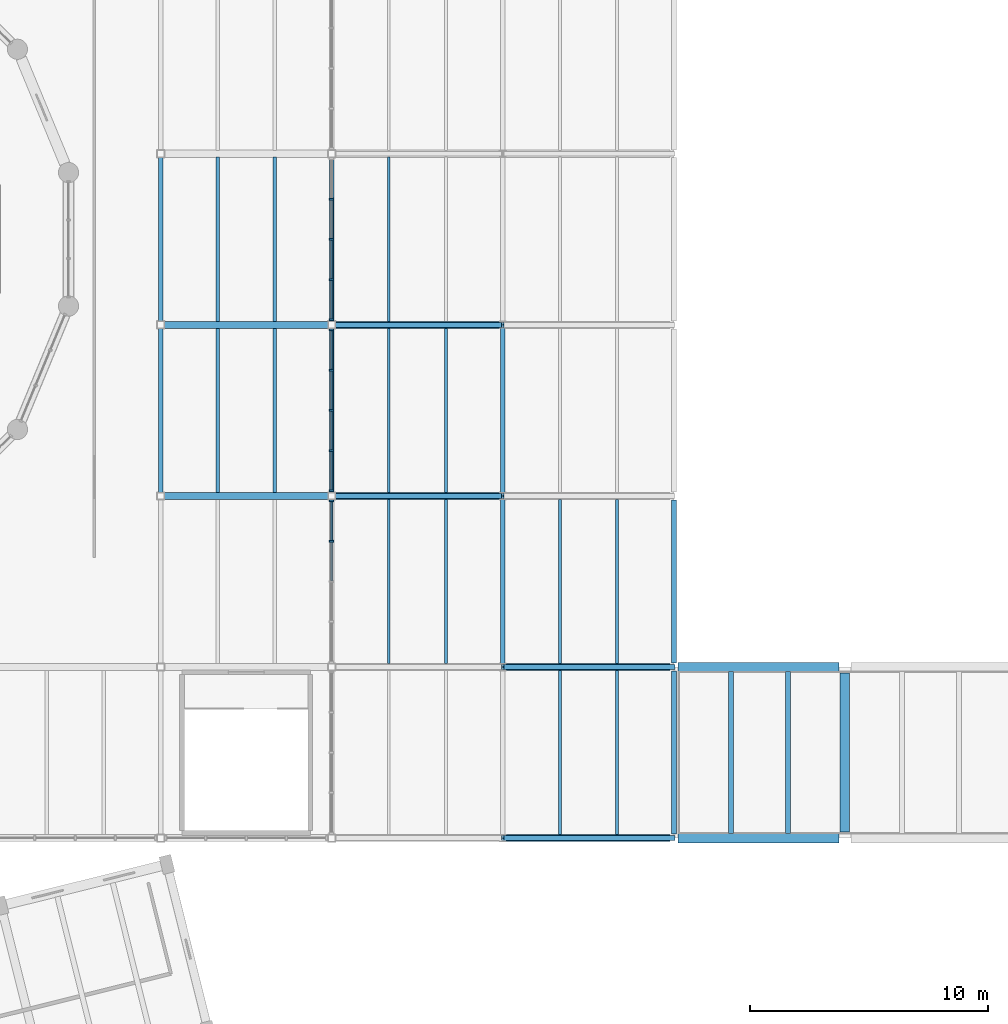
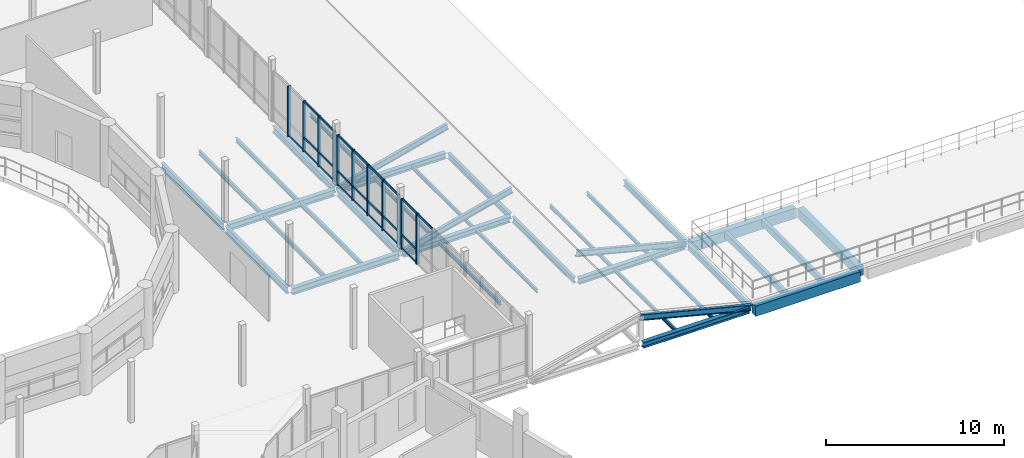
# One storey, part 26 of 63: 38 members, 32 beams, 3 elements without a shape of their own.
"""IFC4 building model written with IfcOpenShell, lengths in metres."""

import ifcopenshell
import ifcopenshell.guid

model = None  # the IFC model being written
_history = None  # IfcOwnerHistory: only IFC2X3 demands one
_inside = {}  # id of a spatial element -> (the spatial element, [elements in it])
_under = {}  # id of a project, library or spatial element -> (it, [spatial elements below it])
_declared = {}  # id of a project -> (the project, [libraries it declares])
_typed = {}  # id of a type object -> (the type object, [elements of that type])
_made_of = {}  # id of a material, layer set ... -> (it, [elements and type objects made of it])


def new_model(schema):
    """Start an empty IFC model of exactly this schema.

    Asked for "IFC4X3", IfcOpenShell would pick the latest addendum, in which some entities
    have other attributes; the version numbers below select the first issue.
    IFC2X3 requires an IfcOwnerHistory on every rooted entity: one is made here for all.
    """
    global model, _history
    if schema == "IFC4X3":
        model = ifcopenshell.file(schema_version=(4, 3, 0, 0))
    else:
        model = ifcopenshell.file(schema=schema)
    _inside.clear()
    _under.clear()
    _declared.clear()
    _typed.clear()
    _made_of.clear()
    _history = None
    if model.schema == "IFC2X3":
        org = make("IfcOrganization", Name="unknown")
        user = make(
            "IfcPersonAndOrganization",
            ThePerson=make("IfcPerson", FamilyName="unknown"),
            TheOrganization=org,
        )
        app = make(
            "IfcApplication",
            ApplicationDeveloper=org,
            Version="unknown",
            ApplicationFullName="unknown",
            ApplicationIdentifier="unknown",
        )
        _history = make(
            "IfcOwnerHistory",
            OwningUser=user,
            OwningApplication=app,
            ChangeAction="ADDED",
            CreationDate=0,
        )
    return model


def make(cls, **values):
    """One entity of the class cls with the attributes given. An attribute that is None is left unset."""
    return model.create_entity(
        cls, **{name: value for name, value in values.items() if value is not None}
    )


def rooted(cls, **values):
    """An entity with a GlobalId (a new one), such as an element, a storey or a relation."""
    return make(cls, GlobalId=ifcopenshell.guid.new(), OwnerHistory=_history, **values)


def si_unit(unit_type, name, prefix=None):
    """IfcSIUnit, for example si_unit("LENGTHUNIT", "METRE", prefix="MILLI")."""
    return make("IfcSIUnit", UnitType=unit_type, Prefix=prefix, Name=name)


def assignment(units):
    """IfcUnitAssignment: the units of a project."""
    return None if units is None else make("IfcUnitAssignment", Units=units)


def point(xyz):
    """IfcCartesianPoint."""
    return None if xyz is None else make("IfcCartesianPoint", Coordinates=xyz)


def direction(xyz):
    """IfcDirection."""
    return None if xyz is None else make("IfcDirection", DirectionRatios=xyz)


def frame(location, z_axis=None, x_axis=None):
    """IfcAxis2Placement3D, a coordinate frame: its origin and axes. An axis left out is left unset."""
    return make(
        "IfcAxis2Placement3D",
        Location=point(location),
        Axis=direction(z_axis),
        RefDirection=direction(x_axis),
    )


def frame_2d(location, x_axis=None):
    """IfcAxis2Placement2D, a coordinate frame in the plane: its origin and x axis."""
    return make(
        "IfcAxis2Placement2D", Location=point(location), RefDirection=direction(x_axis)
    )


def origin():
    """The frame at (0, 0, 0) with its axes left unset."""
    return frame((0.0, 0.0, 0.0))


def origin_2d():
    """The frame at (0, 0) in the plane with its x axis left unset."""
    return frame_2d((0.0, 0.0))


def place(relative_to, where):
    """IfcLocalPlacement: puts the frame where relative to a parent placement (None: the world)."""
    return make(
        "IfcLocalPlacement", PlacementRelTo=relative_to, RelativePlacement=where
    )


def context(
    kind, dimensions, precision=None, world=None, true_north=None, identifier=None
):
    """IfcGeometricRepresentationContext, for example the 3D "Model" context."""
    return make(
        "IfcGeometricRepresentationContext",
        ContextIdentifier=identifier,
        ContextType=kind,
        CoordinateSpaceDimension=dimensions,
        Precision=precision,
        WorldCoordinateSystem=world,
        TrueNorth=true_north,
    )


def subcontext(parent, identifier, kind, view, scale=None):
    """IfcGeometricRepresentationSubContext, for example "Body" below "Model"."""
    return make(
        "IfcGeometricRepresentationSubContext",
        ContextIdentifier=identifier,
        ContextType=kind,
        ParentContext=parent,
        TargetScale=scale,
        TargetView=view,
    )


def project(units=None, contexts=None):
    """IfcProject with its units and contexts."""
    return rooted(
        "IfcProject",
        Name="project",
        RepresentationContexts=contexts,
        UnitsInContext=assignment(units),
    )


def spatial(cls, under=None, at=None, **own):
    """A site, building, storey or space (cls), placed at a placement, below another one or the project."""
    s = rooted(cls, ObjectPlacement=at, **own)
    if under is not None:
        _under.setdefault(under.id(), (under, []))[1].append(s)
    return s


def profile(cls, at=None, kind="AREA", **sizes):
    """A parametric profile (cls). Its sizes go by their IFC names, for example OverallWidth=200.0."""
    return make(cls, ProfileType=kind, Position=at, **sizes)


def rectangle(**sizes):
    """IfcRectangleProfileDef."""
    return profile("IfcRectangleProfileDef", **sizes)


def i_section(**sizes):
    """IfcIShapeProfileDef."""
    return profile("IfcIShapeProfileDef", **sizes)


def extrude(swept, where, along, depth):
    """IfcExtrudedAreaSolid: the profile swept, set in the frame where, extruded along a direction by depth."""
    return make(
        "IfcExtrudedAreaSolid",
        SweptArea=swept,
        Position=where,
        ExtrudedDirection=direction(along),
        Depth=depth,
    )


def shape(context_of_items, identifier, shape_type, items):
    """IfcShapeRepresentation: the items that make up one representation, for example the "Body"."""
    return make(
        "IfcShapeRepresentation",
        ContextOfItems=context_of_items,
        RepresentationIdentifier=identifier,
        RepresentationType=shape_type,
        Items=items,
    )


def material(Name=None, Category=None):
    """IfcMaterial."""
    return make("IfcMaterial", Name=Name, Category=Category)


def material_profile(
    of_material, cross_section, Name=None, Category=None, Priority=None
):
    """IfcMaterialProfile: a cross section and its material."""
    return make(
        "IfcMaterialProfile",
        Name=Name,
        Material=of_material,
        Profile=cross_section,
        Priority=Priority,
        Category=Category,
    )


def profile_set(profiles, Name=None, composite=None):
    """IfcMaterialProfileSet."""
    return make(
        "IfcMaterialProfileSet",
        Name=Name,
        MaterialProfiles=profiles,
        CompositeProfile=composite,
    )


def made_of(thing, what):
    """Note that an element or type object is made of a material, layer set ...; save() writes the relation."""
    if what is not None:
        _made_of.setdefault(what.id(), (what, []))[1].append(thing)
    return thing


def type_object(cls, material=None, **own):
    """A type object (cls), such as IfcWallType, which elements share."""
    return made_of(rooted(cls, **own), material)


def element(
    cls,
    number,
    at=None,
    inside=None,
    cuts=None,
    type_object=None,
    material=None,
    context=None,
    identifier="Body",
    shape_type=None,
    held_by="IfcProductDefinitionShape",
    body=None,
    shapes=None,
    **own,
):
    """One element of the class cls, such as IfcWall. Its Tag is "e" and its number.

    at: its placement. inside: the storey or other place that contains it. cuts: it is an
    opening in that element (IfcRelVoidsElement). A single representation is given by context,
    identifier, shape_type and body (its items); several are given by shapes. held_by: the class
    of the entity that holds the representations. save() writes the other relations.
    """
    e = rooted(cls, Tag="e%d" % number, ObjectPlacement=at, **own)
    if body is not None:
        shapes = [shape(context, identifier, shape_type, body)]
    if shapes is not None:
        e.Representation = make(held_by, Representations=shapes)
    if inside is not None:
        _inside.setdefault(inside.id(), (inside, []))[1].append(e)
    if cuts is not None:
        rooted(
            "IfcRelVoidsElement", RelatingBuildingElement=cuts, RelatedOpeningElement=e
        )
    if type_object is not None:
        _typed.setdefault(type_object.id(), (type_object, []))[1].append(e)
    return made_of(e, material)


def aggregate(whole, parts):
    """IfcRelAggregates: a whole, such as a stair, and the parts it consists of."""
    return rooted("IfcRelAggregates", RelatingObject=whole, RelatedObjects=parts)


def save(model, path):
    """Write the relations noted so far, then the file.

    IfcRelAggregates (storeys below a building ...), IfcRelContainedInSpatialStructure (elements
    in a storey), IfcRelDefinesByType, IfcRelAssociatesMaterial and IfcRelDeclares: one each for
    every whole, place, type object, material and project.
    """
    for whole, parts in _under.values():
        aggregate(whole, parts)
    for where, things in _inside.values():
        rooted(
            "IfcRelContainedInSpatialStructure",
            RelatedElements=things,
            RelatingStructure=where,
        )
    for kind, things in _typed.values():
        rooted("IfcRelDefinesByType", RelatedObjects=things, RelatingType=kind)
    for what, things in _made_of.values():
        rooted("IfcRelAssociatesMaterial", RelatedObjects=things, RelatingMaterial=what)
    for by, libraries in _declared.values():
        rooted("IfcRelDeclares", RelatingContext=by, RelatedDefinitions=libraries)
    model.write(path)


model = new_model("IFC4")

# Units and contexts
model_context = context("Model", 3, precision=1e-05, world=origin(), true_north=direction((0.0, 1.0)))
body_context = subcontext(model_context, "Body", "Model", "MODEL_VIEW")
ifc_project = project(units=[si_unit("LENGTHUNIT", "METRE"), si_unit("AREAUNIT", "SQUARE_METRE"), si_unit("VOLUMEUNIT", "CUBIC_METRE"), si_unit("PLANEANGLEUNIT", "RADIAN"), si_unit("MASSUNIT", "GRAM", prefix="KILO")], contexts=[model_context])

# Site, building, storey
site_placement = place(None, origin())
site = spatial("IfcSite", under=ifc_project, at=site_placement, CompositionType="ELEMENT")
building_placement = place(site_placement, origin())
building = spatial("IfcBuilding", under=site, at=building_placement, Name="Qiaolan Assembly House", CompositionType="ELEMENT")
storey_placement = place(building_placement, frame((0.0, 0.0, 14.39990234375)))
storey = spatial("IfcBuildingStorey", under=building, at=storey_placement, Name="L03", CompositionType="ELEMENT", Elevation=14.39990234375)

# Beams
ifc_material_1 = material(Name="Concrete C40/50", Category="concrete")
ifc_material_profile_1 = material_profile(ifc_material_1, rectangle(XDim=0.39990234375, YDim=0.64990234375, at=origin_2d()), Name="RCB 400x650")
ifc_profile_set_1 = profile_set([ifc_material_profile_1], Name="Concrete C40/50")
beam_type_1 = type_object("IfcBeamType", Name="BM-RC-400x650", PredefinedType="BEAM", material=ifc_profile_set_1)
beam_1_placement = place(storey_placement, frame((115.199951171875, 36.25, -0.635009765625), z_axis=(0.0, 1.0, 0.0), x_axis=(-1.0, 0.0, 0.0)))
element("IfcBeam", 1, at=beam_1_placement, inside=storey, type_object=beam_type_1, Name="GB-06 beam BMY-CLSR-L03-01-00", PredefinedType="BEAM", context=body_context, shape_type="SweptSolid", body=[
    extrude(rectangle(XDim=0.39990234375, YDim=0.64990234375, at=origin_2d()), origin(), (0.0, 0.0, 1.0), 6.699951171875),
])
ifc_material_profile_2 = material_profile(ifc_material_1, rectangle(XDim=0.39990234375, YDim=0.699951171875, at=origin_2d()), Name="RCB 400x700")
ifc_profile_set_2 = profile_set([ifc_material_profile_2], Name="Concrete C40/50")
beam_type_2 = type_object("IfcBeamType", Name="BM-RC-400x700", PredefinedType="BEAM", material=ifc_profile_set_2)
for number, where, z_axis, x_axis, name in (
    (2, (108.1650390625, 36.0, -0.659912109375), (1.0, 0.0, 0.0), (0.0, 1.0, 0.0), "GB-05 beam BMX-CLSR-L03-00-00"),
    (3, (108.1650390625, 43.199951171875, -0.659912109375), (1.0, 0.0, 0.0), (0.0, 1.0, 0.0), "GB-05 beam BMX-CLSR-L03-00-01"),
):
    element("IfcBeam", number, at=place(storey_placement, frame(where, z_axis=z_axis, x_axis=x_axis)), inside=storey, type_object=beam_type_2, Name=name, PredefinedType="BEAM", context=body_context, shape_type="SweptSolid", body=[
        extrude(rectangle(XDim=0.39990234375, YDim=0.699951171875, at=origin_2d()), origin(), (0.0, 0.0, 1.0), 6.784912109375),
    ])
ifc_material_2 = material(Name="Steel Q355B", Category="steel")
ifc_material_profile_3 = material_profile(ifc_material_2, i_section(OverallWidth=0.300048828125, OverallDepth=0.389892578125, WebThickness=0.010009765625, FlangeThickness=0.01611328125, FilletRadius=0.01806640625, at=origin_2d()), Name="HM 390x300x10x16")
ifc_profile_set_3 = profile_set([ifc_material_profile_3], Name="Steel Q355B")
beam_type_3 = type_object("IfcBeamType", Name="BM-STL-HM390", PredefinedType="BEAM", material=ifc_profile_set_3)
for number, where, z_axis, x_axis, name in (
    (4, (100.93994140625, 36.0, -0.5048828125), (1.0, 0.0, 0.0), (0.0, 1.0, 0.0), "SB-08 beam BMX-HLETR-L03-01-00"),
    (5, (100.93994140625, 43.199951171875, -0.5048828125), (1.0, 0.0, 0.0), (0.0, 1.0, 0.0), "SB-08 beam BMX-HLETR-L03-01-01"),
):
    element("IfcBeam", number, at=place(storey_placement, frame(where, z_axis=z_axis, x_axis=x_axis)), inside=storey, type_object=beam_type_3, Name=name, PredefinedType="BEAM", context=body_context, shape_type="SweptSolid", body=[
        extrude(i_section(OverallWidth=0.300048828125, OverallDepth=0.389892578125, WebThickness=0.010009765625, FlangeThickness=0.01611328125, FilletRadius=0.01806640625, at=origin_2d()), origin(), (0.0, 0.0, 1.0), 6.89501953125),
    ])
for number, where, z_axis, x_axis, name in (
    (6, (93.739990234375, 50.39990234375, -0.5048828125), (1.0, 0.0, 0.0), (0.0, 1.0, 0.0), "SB-08 beam BMX-HLETR-L03-00-02"),
    (7, (93.739990234375, 57.60009765625, -0.5048828125), (1.0, 0.0, 0.0), (0.0, 1.0, 0.0), "SB-08 beam BMX-HLETR-L03-00-03"),
):
    element("IfcBeam", number, at=place(storey_placement, frame(where, z_axis=z_axis, x_axis=x_axis)), inside=storey, type_object=beam_type_3, Name=name, PredefinedType="BEAM", context=body_context, shape_type="SweptSolid", body=[
        extrude(i_section(OverallWidth=0.300048828125, OverallDepth=0.389892578125, WebThickness=0.010009765625, FlangeThickness=0.01611328125, FilletRadius=0.01806640625, at=origin_2d()), origin(), (0.0, 0.0, 1.0), 6.919921875),
    ])
ifc_material_profile_4 = material_profile(ifc_material_2, i_section(OverallWidth=0.300048828125, OverallDepth=0.43994140625, WebThickness=0.010986328125, FlangeThickness=0.01806640625, FilletRadius=0.02001953125, at=origin_2d()), Name="HM 440x300x11x18")
ifc_profile_set_4 = profile_set([ifc_material_profile_4], Name="Steel Q355B")
beam_type_4 = type_object("IfcBeamType", Name="BM-STL-HM440", PredefinedType="BEAM", material=ifc_profile_set_4)
for number, where, z_axis, x_axis, name in (
    (8, (86.5400390625, 50.39990234375, -0.52001953125), (1.0, 0.0, 0.0), (0.0, 1.0, 0.0), "SB-06 beam BMX-HLC-L03-06-02"),
    (9, (86.5400390625, 57.60009765625, -0.52001953125), (1.0, 0.0, 0.0), (0.0, 1.0, 0.0), "SB-06 beam BMX-HLC-L03-06-03"),
):
    element("IfcBeam", number, at=place(storey_placement, frame(where, z_axis=z_axis, x_axis=x_axis)), inside=storey, type_object=beam_type_4, Name=name, PredefinedType="BEAM", context=body_context, shape_type="SweptSolid", body=[
        extrude(i_section(OverallWidth=0.300048828125, OverallDepth=0.43994140625, WebThickness=0.010986328125, FlangeThickness=0.01806640625, FilletRadius=0.02001953125, at=origin_2d()), origin(), (0.0, 0.0, 1.0), 6.919921875),
    ])
ifc_material_profile_5 = material_profile(ifc_material_2, i_section(OverallWidth=0.199951171875, OverallDepth=0.39990234375, WebThickness=0.008056640625, FlangeThickness=0.012939453125, FilletRadius=0.01611328125, at=origin_2d()), Name="HN 400x200x8x13")
ifc_profile_set_5 = profile_set([ifc_material_profile_5], Name="Steel Q355B")
beam_type_5 = type_object("IfcBeamType", Name="BM-STL-HN400", PredefinedType="BEAM", material=ifc_profile_set_5)
for number, where, z_axis, x_axis, name in (
    (10, (100.800048828125, 43.340087890625, -0.510009765625), (0.0, 1.0, 0.0), (-1.0, 0.0, 0.0), "SB-09 beam BMY-HLETR-L03-01-01"),
    (11, (100.800048828125, 50.5400390625, -0.510009765625), (0.0, 1.0, 0.0), (-1.0, 0.0, 0.0), "SB-09 beam BMY-HLETR-L03-01-02"),
):
    element("IfcBeam", number, at=place(storey_placement, frame(where, z_axis=z_axis, x_axis=x_axis)), inside=storey, type_object=beam_type_5, Name=name, PredefinedType="BEAM", context=body_context, shape_type="SweptSolid", body=[
        extrude(i_section(OverallWidth=0.199951171875, OverallDepth=0.39990234375, WebThickness=0.008056640625, FlangeThickness=0.012939453125, FilletRadius=0.01611328125, at=origin_2d()), origin(), (0.0, 0.0, 1.0), 6.919921875),
    ])
beam_2_placement = place(storey_placement, frame((108.0, 36.1650390625, -0.510009765625), z_axis=(0.0, 1.0, 0.0), x_axis=(-1.0, 0.0, 0.0)))
element("IfcBeam", 12, at=beam_2_placement, inside=storey, type_object=beam_type_5, Name="SB-09 beam BMY-HLETR-L03-02-00", PredefinedType="BEAM", context=body_context, shape_type="SweptSolid", body=[
    extrude(i_section(OverallWidth=0.199951171875, OverallDepth=0.39990234375, WebThickness=0.008056640625, FlangeThickness=0.012939453125, FilletRadius=0.01611328125, at=origin_2d()), origin(), (0.0, 0.0, 1.0), 6.869873046875),
])
beam_3_placement = place(storey_placement, frame((108.0, 43.364990234375, -0.510009765625), z_axis=(0.0, 1.0, 0.0), x_axis=(-1.0, 0.0, 0.0)))
element("IfcBeam", 13, at=beam_3_placement, inside=storey, type_object=beam_type_5, Name="SB-09 beam BMY-HLETR-L03-02-01", PredefinedType="BEAM", context=body_context, shape_type="SweptSolid", body=[
    extrude(i_section(OverallWidth=0.199951171875, OverallDepth=0.39990234375, WebThickness=0.008056640625, FlangeThickness=0.012939453125, FilletRadius=0.01611328125, at=origin_2d()), origin(), (0.0, 0.0, 1.0), 6.8701171875),
])
ifc_material_profile_6 = material_profile(ifc_material_2, i_section(OverallWidth=0.199951171875, OverallDepth=0.449951171875, WebThickness=0.009033203125, FlangeThickness=0.013916015625, FilletRadius=0.01611328125, at=origin_2d()), Name="HN 450x200x9x14")
ifc_profile_set_6 = profile_set([ifc_material_profile_6], Name="Steel Q355B")
beam_type_6 = type_object("IfcBeamType", Name="BM-STL-HN450", PredefinedType="BEAM", material=ifc_profile_set_6)
for number, where, z_axis, x_axis, name in (
    (14, (86.39990234375, 50.5400390625, -0.52490234375), (0.0, 1.0, 0.0), (-1.0, 0.0, 0.0), "SB-07 beam BMY-HLC-L03-06-02"),
    (15, (86.39990234375, 57.739990234375, -0.52490234375), (0.0, 1.0, 0.0), (-1.0, 0.0, 0.0), "SB-07 beam BMY-HLC-L03-06-03"),
    (16, (93.60009765625, 50.5400390625, -0.52490234375), (0.0, 1.0, 0.0), (-1.0, 0.0, 0.0), "SB-07 beam BMY-HLC-L03-07-02"),
    (17, (93.60009765625, 57.739990234375, -0.52490234375), (0.0, 1.0, 0.0), (-1.0, 0.0, 0.0), "SB-07 beam BMY-HLC-L03-07-03"),
):
    element("IfcBeam", number, at=place(storey_placement, frame(where, z_axis=z_axis, x_axis=x_axis)), inside=storey, type_object=beam_type_6, Name=name, PredefinedType="BEAM", context=body_context, shape_type="SweptSolid", body=[
        extrude(i_section(OverallWidth=0.199951171875, OverallDepth=0.449951171875, WebThickness=0.009033203125, FlangeThickness=0.013916015625, FilletRadius=0.01611328125, at=origin_2d()), origin(), (0.0, 0.0, 1.0), 6.919921875),
    ])

# Curtain wall, members
ifc_material_3 = material(Name="Anodised bronze aluminium", Category="aluminium")
curtain_wall_type = type_object("IfcCurtainWallType", Name="CW-HALL-CONC-420", PredefinedType="NOTDEFINED", material=ifc_material_3)
curtain_wall_1_placement = place(storey_placement, origin())
curtain_wall_1 = element("IfcCurtainWall", 18, at=curtain_wall_1_placement, inside=storey, type_object=curtain_wall_type, Name="CW-07 L03 Concourse East CW 2", PredefinedType="NOTDEFINED")
ifc_material_profile_7 = material_profile(ifc_material_3, rectangle(XDim=0.08203125, YDim=0.18994140625, at=origin_2d()), Name="MUL 82x190")
ifc_profile_set_7 = profile_set([ifc_material_profile_7], Name="Anodised bronze aluminium")
member_type_1 = type_object("IfcMemberType", Name="CW-HALL-CONC-420-MUL", PredefinedType="MULLION", material=ifc_profile_set_7)
member_1_placement = place(storey_placement, frame((93.60009765625, 50.18994140625, 0.0), z_axis=(0.0, 0.0, 1.0), x_axis=(0.0, -1.0, 0.0)))
member_1 = element("IfcMember", 19, at=member_1_placement, type_object=member_type_1, Name="ML-03 mullion CW-HLC-E-01-1", PredefinedType="MULLION", context=body_context, shape_type="SweptSolid", body=[
    extrude(rectangle(XDim=0.08203125, YDim=0.18994140625, at=origin_2d()), origin(), (0.0, 0.0, 1.0), 3.4501953125),
])
member_2_placement = place(storey_placement, frame((93.60009765625, 48.4951171875, 0.0), z_axis=(0.0, 0.0, 1.0), x_axis=(0.0, -1.0, 0.0)))
member_2 = element("IfcMember", 20, at=member_2_placement, type_object=member_type_1, Name="ML-03 mullion CW-HLC-E-01-2", PredefinedType="MULLION", context=body_context, shape_type="SweptSolid", body=[
    extrude(rectangle(XDim=0.08203125, YDim=0.18994140625, at=origin_2d()), origin(), (0.0, 0.0, 1.0), 3.4501953125),
])

curtain_wall_2_placement = place(storey_placement, origin())
curtain_wall_2 = element("IfcCurtainWall", 21, at=curtain_wall_2_placement, inside=storey, type_object=curtain_wall_type, Name="CW-07 L03 Concourse East CW 3", PredefinedType="NOTDEFINED")
member_3_placement = place(storey_placement, frame((93.60009765625, 57.389892578125, 0.0), z_axis=(0.0, 0.0, 1.0), x_axis=(0.0, -1.0, 0.0)))
member_3 = element("IfcMember", 22, at=member_3_placement, type_object=member_type_1, Name="ML-03 mullion CW-HLC-E-02-1", PredefinedType="MULLION", context=body_context, shape_type="SweptSolid", body=[
    extrude(rectangle(XDim=0.08203125, YDim=0.18994140625, at=origin_2d()), origin(), (0.0, 0.0, 1.0), 3.4501953125),
])
member_4_placement = place(storey_placement, frame((93.60009765625, 55.695068359375, 0.0), z_axis=(0.0, 0.0, 1.0), x_axis=(0.0, -1.0, 0.0)))
member_4 = element("IfcMember", 23, at=member_4_placement, type_object=member_type_1, Name="ML-03 mullion CW-HLC-E-02-2", PredefinedType="MULLION", context=body_context, shape_type="SweptSolid", body=[
    extrude(rectangle(XDim=0.08203125, YDim=0.18994140625, at=origin_2d()), origin(), (0.0, 0.0, 1.0), 3.4501953125),
])
member_5_placement = place(storey_placement, frame((93.60009765625, 54.0, 0.0), z_axis=(0.0, 0.0, 1.0), x_axis=(0.0, -1.0, 0.0)))
member_5 = element("IfcMember", 24, at=member_5_placement, type_object=member_type_1, Name="ML-03 mullion CW-HLC-E-02-3", PredefinedType="MULLION", context=body_context, shape_type="SweptSolid", body=[
    extrude(rectangle(XDim=0.08203125, YDim=0.18994140625, at=origin_2d()), origin(), (0.0, 0.0, 1.0), 3.4501953125),
])
member_6_placement = place(storey_placement, frame((93.60009765625, 52.304931640625, 0.0), z_axis=(0.0, 0.0, 1.0), x_axis=(0.0, -1.0, 0.0)))
member_6 = element("IfcMember", 25, at=member_6_placement, type_object=member_type_1, Name="ML-03 mullion CW-HLC-E-02-4", PredefinedType="MULLION", context=body_context, shape_type="SweptSolid", body=[
    extrude(rectangle(XDim=0.08203125, YDim=0.18994140625, at=origin_2d()), origin(), (0.0, 0.0, 1.0), 3.4501953125),
])
member_7_placement = place(storey_placement, frame((93.60009765625, 50.610107421875, 0.0), z_axis=(0.0, 0.0, 1.0), x_axis=(0.0, -1.0, 0.0)))
member_7 = element("IfcMember", 26, at=member_7_placement, type_object=member_type_1, Name="ML-03 mullion CW-HLC-E-02-5", PredefinedType="MULLION", context=body_context, shape_type="SweptSolid", body=[
    extrude(rectangle(XDim=0.08203125, YDim=0.18994140625, at=origin_2d()), origin(), (0.0, 0.0, 1.0), 3.4501953125),
])

curtain_wall_3_placement = place(storey_placement, origin())
curtain_wall_3 = element("IfcCurtainWall", 27, at=curtain_wall_3_placement, inside=storey, type_object=curtain_wall_type, Name="CW-07 L03 Concourse East CW 4", PredefinedType="NOTDEFINED")
member_8_placement = place(storey_placement, frame((93.60009765625, 62.89501953125, 0.0), z_axis=(0.0, 0.0, 1.0), x_axis=(0.0, -1.0, 0.0)))
member_8 = element("IfcMember", 28, at=member_8_placement, type_object=member_type_1, Name="ML-03 mullion CW-HLC-E-03-2", PredefinedType="MULLION", context=body_context, shape_type="SweptSolid", body=[
    extrude(rectangle(XDim=0.08203125, YDim=0.18994140625, at=origin_2d()), origin(), (0.0, 0.0, 1.0), 3.4501953125),
])
member_9_placement = place(storey_placement, frame((93.60009765625, 61.199951171875, 0.0), z_axis=(0.0, 0.0, 1.0), x_axis=(0.0, -1.0, 0.0)))
member_9 = element("IfcMember", 29, at=member_9_placement, type_object=member_type_1, Name="ML-03 mullion CW-HLC-E-03-3", PredefinedType="MULLION", context=body_context, shape_type="SweptSolid", body=[
    extrude(rectangle(XDim=0.08203125, YDim=0.18994140625, at=origin_2d()), origin(), (0.0, 0.0, 1.0), 3.4501953125),
])
member_10_placement = place(storey_placement, frame((93.60009765625, 59.5048828125, 0.0), z_axis=(0.0, 0.0, 1.0), x_axis=(0.0, -1.0, 0.0)))
member_10 = element("IfcMember", 30, at=member_10_placement, type_object=member_type_1, Name="ML-03 mullion CW-HLC-E-03-4", PredefinedType="MULLION", context=body_context, shape_type="SweptSolid", body=[
    extrude(rectangle(XDim=0.08203125, YDim=0.18994140625, at=origin_2d()), origin(), (0.0, 0.0, 1.0), 3.4501953125),
])
member_11_placement = place(storey_placement, frame((93.60009765625, 57.81005859375, 0.0), z_axis=(0.0, 0.0, 1.0), x_axis=(0.0, -1.0, 0.0)))
member_11 = element("IfcMember", 31, at=member_11_placement, type_object=member_type_1, Name="ML-03 mullion CW-HLC-E-03-5", PredefinedType="MULLION", context=body_context, shape_type="SweptSolid", body=[
    extrude(rectangle(XDim=0.08203125, YDim=0.18994140625, at=origin_2d()), origin(), (0.0, 0.0, 1.0), 3.4501953125),
])

# Member
ifc_material_profile_8 = material_profile(ifc_material_3, rectangle(XDim=0.072021484375, YDim=0.14501953125, at=origin_2d()), Name="TRN 72x145")
ifc_profile_set_8 = profile_set([ifc_material_profile_8], Name="Anodised bronze aluminium")
member_type_2 = type_object("IfcMemberType", Name="CW-HALL-CONC-420-TRN", PredefinedType="USERDEFINED", material=ifc_profile_set_8)
member_12_placement = place(storey_placement, frame((93.60009765625, 50.14892578125, 0.030029296875), z_axis=(0.0, -1.0, 0.0), x_axis=(1.0, 0.0, 0.0)))
member_12 = element("IfcMember", 32, at=member_12_placement, type_object=member_type_2, Name="TR-03 transom CW-HLC-E-01-1-1", ObjectType="TRANSOM", PredefinedType="USERDEFINED", context=body_context, shape_type="SweptSolid", body=[
    extrude(rectangle(XDim=0.072021484375, YDim=0.14501953125, at=origin_2d()), origin(), (0.0, 0.0, 1.0), 1.613037109375),
])

member_13_placement = place(storey_placement, frame((93.60009765625, 50.14892578125, 0.9501953125), z_axis=(0.0, -1.0, 0.0), x_axis=(1.0, 0.0, 0.0)))
member_13 = element("IfcMember", 33, at=member_13_placement, type_object=member_type_2, Name="TR-03 transom CW-HLC-E-01-1-2", ObjectType="TRANSOM", PredefinedType="USERDEFINED", context=body_context, shape_type="SweptSolid", body=[
    extrude(rectangle(XDim=0.072021484375, YDim=0.14501953125, at=origin_2d()), origin(), (0.0, 0.0, 1.0), 1.613037109375),
])

member_14_placement = place(storey_placement, frame((93.60009765625, 50.14892578125, 3.420166015625), z_axis=(0.0, -1.0, 0.0), x_axis=(1.0, 0.0, 0.0)))
member_14 = element("IfcMember", 34, at=member_14_placement, type_object=member_type_2, Name="TR-03 transom CW-HLC-E-01-1-3", ObjectType="TRANSOM", PredefinedType="USERDEFINED", context=body_context, shape_type="SweptSolid", body=[
    extrude(rectangle(XDim=0.072021484375, YDim=0.14501953125, at=origin_2d()), origin(), (0.0, 0.0, 1.0), 1.613037109375),
])

member_15_placement = place(storey_placement, frame((93.60009765625, 48.4541015625, 3.420166015625), z_axis=(0.0, -1.0, 0.0), x_axis=(1.0, 0.0, 0.0)))
member_15 = element("IfcMember", 35, at=member_15_placement, type_object=member_type_2, Name="TR-03 transom CW-HLC-E-01-2-3", ObjectType="TRANSOM", PredefinedType="USERDEFINED", context=body_context, shape_type="SweptSolid", body=[
    extrude(rectangle(XDim=0.072021484375, YDim=0.14501953125, at=origin_2d()), origin(), (0.0, 0.0, 1.0), 1.613037109375),
])

aggregate(curtain_wall_1, [member_1, member_2, member_12, member_13, member_14, member_15])

member_16_placement = place(storey_placement, frame((93.60009765625, 57.34912109375, 0.030029296875), z_axis=(0.0, -1.0, 0.0), x_axis=(1.0, 0.0, 0.0)))
member_16 = element("IfcMember", 36, at=member_16_placement, type_object=member_type_2, Name="TR-03 transom CW-HLC-E-02-1-1", ObjectType="TRANSOM", PredefinedType="USERDEFINED", context=body_context, shape_type="SweptSolid", body=[
    extrude(rectangle(XDim=0.072021484375, YDim=0.14501953125, at=origin_2d()), origin(), (0.0, 0.0, 1.0), 1.613037109375),
])

member_17_placement = place(storey_placement, frame((93.60009765625, 57.34912109375, 0.9501953125), z_axis=(0.0, -1.0, 0.0), x_axis=(1.0, 0.0, 0.0)))
member_17 = element("IfcMember", 37, at=member_17_placement, type_object=member_type_2, Name="TR-03 transom CW-HLC-E-02-1-2", ObjectType="TRANSOM", PredefinedType="USERDEFINED", context=body_context, shape_type="SweptSolid", body=[
    extrude(rectangle(XDim=0.072021484375, YDim=0.14501953125, at=origin_2d()), origin(), (0.0, 0.0, 1.0), 1.613037109375),
])

member_18_placement = place(storey_placement, frame((93.60009765625, 57.34912109375, 3.420166015625), z_axis=(0.0, -1.0, 0.0), x_axis=(1.0, 0.0, 0.0)))
member_18 = element("IfcMember", 38, at=member_18_placement, type_object=member_type_2, Name="TR-03 transom CW-HLC-E-02-1-3", ObjectType="TRANSOM", PredefinedType="USERDEFINED", context=body_context, shape_type="SweptSolid", body=[
    extrude(rectangle(XDim=0.072021484375, YDim=0.14501953125, at=origin_2d()), origin(), (0.0, 0.0, 1.0), 1.613037109375),
])

member_19_placement = place(storey_placement, frame((93.60009765625, 55.654052734375, 0.030029296875), z_axis=(0.0, -1.0, 0.0), x_axis=(1.0, 0.0, 0.0)))
member_19 = element("IfcMember", 39, at=member_19_placement, type_object=member_type_2, Name="TR-03 transom CW-HLC-E-02-2-1", ObjectType="TRANSOM", PredefinedType="USERDEFINED", context=body_context, shape_type="SweptSolid", body=[
    extrude(rectangle(XDim=0.072021484375, YDim=0.14501953125, at=origin_2d()), origin(), (0.0, 0.0, 1.0), 1.613037109375),
])

member_20_placement = place(storey_placement, frame((93.60009765625, 55.654052734375, 0.9501953125), z_axis=(0.0, -1.0, 0.0), x_axis=(1.0, 0.0, 0.0)))
member_20 = element("IfcMember", 40, at=member_20_placement, type_object=member_type_2, Name="TR-03 transom CW-HLC-E-02-2-2", ObjectType="TRANSOM", PredefinedType="USERDEFINED", context=body_context, shape_type="SweptSolid", body=[
    extrude(rectangle(XDim=0.072021484375, YDim=0.14501953125, at=origin_2d()), origin(), (0.0, 0.0, 1.0), 1.613037109375),
])

member_21_placement = place(storey_placement, frame((93.60009765625, 55.654052734375, 3.420166015625), z_axis=(0.0, -1.0, 0.0), x_axis=(1.0, 0.0, 0.0)))
member_21 = element("IfcMember", 41, at=member_21_placement, type_object=member_type_2, Name="TR-03 transom CW-HLC-E-02-2-3", ObjectType="TRANSOM", PredefinedType="USERDEFINED", context=body_context, shape_type="SweptSolid", body=[
    extrude(rectangle(XDim=0.072021484375, YDim=0.14501953125, at=origin_2d()), origin(), (0.0, 0.0, 1.0), 1.613037109375),
])

member_22_placement = place(storey_placement, frame((93.60009765625, 53.958984375, 0.030029296875), z_axis=(0.0, -1.0, 0.0), x_axis=(1.0, 0.0, 0.0)))
member_22 = element("IfcMember", 42, at=member_22_placement, type_object=member_type_2, Name="TR-03 transom CW-HLC-E-02-3-1", ObjectType="TRANSOM", PredefinedType="USERDEFINED", context=body_context, shape_type="SweptSolid", body=[
    extrude(rectangle(XDim=0.072021484375, YDim=0.14501953125, at=origin_2d()), origin(), (0.0, 0.0, 1.0), 1.613037109375),
])

member_23_placement = place(storey_placement, frame((93.60009765625, 53.958984375, 0.9501953125), z_axis=(0.0, -1.0, 0.0), x_axis=(1.0, 0.0, 0.0)))
member_23 = element("IfcMember", 43, at=member_23_placement, type_object=member_type_2, Name="TR-03 transom CW-HLC-E-02-3-2", ObjectType="TRANSOM", PredefinedType="USERDEFINED", context=body_context, shape_type="SweptSolid", body=[
    extrude(rectangle(XDim=0.072021484375, YDim=0.14501953125, at=origin_2d()), origin(), (0.0, 0.0, 1.0), 1.613037109375),
])

member_24_placement = place(storey_placement, frame((93.60009765625, 53.958984375, 3.420166015625), z_axis=(0.0, -1.0, 0.0), x_axis=(1.0, 0.0, 0.0)))
member_24 = element("IfcMember", 44, at=member_24_placement, type_object=member_type_2, Name="TR-03 transom CW-HLC-E-02-3-3", ObjectType="TRANSOM", PredefinedType="USERDEFINED", context=body_context, shape_type="SweptSolid", body=[
    extrude(rectangle(XDim=0.072021484375, YDim=0.14501953125, at=origin_2d()), origin(), (0.0, 0.0, 1.0), 1.613037109375),
])

member_25_placement = place(storey_placement, frame((93.60009765625, 52.263916015625, 0.030029296875), z_axis=(0.0, -1.0, 0.0), x_axis=(1.0, 0.0, 0.0)))
member_25 = element("IfcMember", 45, at=member_25_placement, type_object=member_type_2, Name="TR-03 transom CW-HLC-E-02-4-1", ObjectType="TRANSOM", PredefinedType="USERDEFINED", context=body_context, shape_type="SweptSolid", body=[
    extrude(rectangle(XDim=0.072021484375, YDim=0.14501953125, at=origin_2d()), origin(), (0.0, 0.0, 1.0), 1.613037109375),
])

member_26_placement = place(storey_placement, frame((93.60009765625, 52.263916015625, 0.9501953125), z_axis=(0.0, -1.0, 0.0), x_axis=(1.0, 0.0, 0.0)))
member_26 = element("IfcMember", 46, at=member_26_placement, type_object=member_type_2, Name="TR-03 transom CW-HLC-E-02-4-2", ObjectType="TRANSOM", PredefinedType="USERDEFINED", context=body_context, shape_type="SweptSolid", body=[
    extrude(rectangle(XDim=0.072021484375, YDim=0.14501953125, at=origin_2d()), origin(), (0.0, 0.0, 1.0), 1.613037109375),
])

member_27_placement = place(storey_placement, frame((93.60009765625, 52.263916015625, 3.420166015625), z_axis=(0.0, -1.0, 0.0), x_axis=(1.0, 0.0, 0.0)))
member_27 = element("IfcMember", 47, at=member_27_placement, type_object=member_type_2, Name="TR-03 transom CW-HLC-E-02-4-3", ObjectType="TRANSOM", PredefinedType="USERDEFINED", context=body_context, shape_type="SweptSolid", body=[
    extrude(rectangle(XDim=0.072021484375, YDim=0.14501953125, at=origin_2d()), origin(), (0.0, 0.0, 1.0), 1.613037109375),
])

aggregate(curtain_wall_2, [member_3, member_4, member_5, member_6, member_7, member_16, member_17, member_18, member_19, member_20, member_21, member_22, member_23, member_24, member_25, member_26, member_27])

member_28_placement = place(storey_placement, frame((93.60009765625, 62.85400390625, 0.030029296875), z_axis=(0.0, -1.0, 0.0), x_axis=(1.0, 0.0, 0.0)))
member_28 = element("IfcMember", 48, at=member_28_placement, type_object=member_type_2, Name="TR-03 transom CW-HLC-E-03-2-1", ObjectType="TRANSOM", PredefinedType="USERDEFINED", context=body_context, shape_type="SweptSolid", body=[
    extrude(rectangle(XDim=0.072021484375, YDim=0.14501953125, at=origin_2d()), origin(), (0.0, 0.0, 1.0), 1.613037109375),
])

member_29_placement = place(storey_placement, frame((93.60009765625, 61.158935546875, 0.030029296875), z_axis=(0.0, -1.0, 0.0), x_axis=(1.0, 0.0, 0.0)))
member_29 = element("IfcMember", 49, at=member_29_placement, type_object=member_type_2, Name="TR-03 transom CW-HLC-E-03-3-1", ObjectType="TRANSOM", PredefinedType="USERDEFINED", context=body_context, shape_type="SweptSolid", body=[
    extrude(rectangle(XDim=0.072021484375, YDim=0.14501953125, at=origin_2d()), origin(), (0.0, 0.0, 1.0), 1.613037109375),
])

member_30_placement = place(storey_placement, frame((93.60009765625, 61.158935546875, 0.9501953125), z_axis=(0.0, -1.0, 0.0), x_axis=(1.0, 0.0, 0.0)))
member_30 = element("IfcMember", 50, at=member_30_placement, type_object=member_type_2, Name="TR-03 transom CW-HLC-E-03-3-2", ObjectType="TRANSOM", PredefinedType="USERDEFINED", context=body_context, shape_type="SweptSolid", body=[
    extrude(rectangle(XDim=0.072021484375, YDim=0.14501953125, at=origin_2d()), origin(), (0.0, 0.0, 1.0), 1.613037109375),
])

member_31_placement = place(storey_placement, frame((93.60009765625, 61.158935546875, 3.420166015625), z_axis=(0.0, -1.0, 0.0), x_axis=(1.0, 0.0, 0.0)))
member_31 = element("IfcMember", 51, at=member_31_placement, type_object=member_type_2, Name="TR-03 transom CW-HLC-E-03-3-3", ObjectType="TRANSOM", PredefinedType="USERDEFINED", context=body_context, shape_type="SweptSolid", body=[
    extrude(rectangle(XDim=0.072021484375, YDim=0.14501953125, at=origin_2d()), origin(), (0.0, 0.0, 1.0), 1.613037109375),
])

member_32_placement = place(storey_placement, frame((93.60009765625, 59.464111328125, 0.030029296875), z_axis=(0.0, -1.0, 0.0), x_axis=(1.0, 0.0, 0.0)))
member_32 = element("IfcMember", 52, at=member_32_placement, type_object=member_type_2, Name="TR-03 transom CW-HLC-E-03-4-1", ObjectType="TRANSOM", PredefinedType="USERDEFINED", context=body_context, shape_type="SweptSolid", body=[
    extrude(rectangle(XDim=0.072021484375, YDim=0.14501953125, at=origin_2d()), origin(), (0.0, 0.0, 1.0), 1.613037109375),
])

member_33_placement = place(storey_placement, frame((93.60009765625, 59.464111328125, 0.9501953125), z_axis=(0.0, -1.0, 0.0), x_axis=(1.0, 0.0, 0.0)))
member_33 = element("IfcMember", 53, at=member_33_placement, type_object=member_type_2, Name="TR-03 transom CW-HLC-E-03-4-2", ObjectType="TRANSOM", PredefinedType="USERDEFINED", context=body_context, shape_type="SweptSolid", body=[
    extrude(rectangle(XDim=0.072021484375, YDim=0.14501953125, at=origin_2d()), origin(), (0.0, 0.0, 1.0), 1.613037109375),
])

member_34_placement = place(storey_placement, frame((93.60009765625, 59.464111328125, 3.420166015625), z_axis=(0.0, -1.0, 0.0), x_axis=(1.0, 0.0, 0.0)))
member_34 = element("IfcMember", 54, at=member_34_placement, type_object=member_type_2, Name="TR-03 transom CW-HLC-E-03-4-3", ObjectType="TRANSOM", PredefinedType="USERDEFINED", context=body_context, shape_type="SweptSolid", body=[
    extrude(rectangle(XDim=0.072021484375, YDim=0.14501953125, at=origin_2d()), origin(), (0.0, 0.0, 1.0), 1.613037109375),
])

aggregate(curtain_wall_3, [member_8, member_9, member_10, member_11, member_28, member_29, member_30, member_31, member_32, member_33, member_34])

# Beams
ifc_material_profile_9 = material_profile(ifc_material_1, rectangle(XDim=0.219970703125, YDim=0.419921875, at=origin_2d()), Name="RCB 220x420")
ifc_profile_set_9 = profile_set([ifc_material_profile_9], Name="Concrete C40/50")
beam_type_7 = type_object("IfcBeamType", Name="JST-RC-220x420", PredefinedType="JOIST", material=ifc_profile_set_9)
for number, where, z_axis, x_axis, name in (
    (55, (110.39990234375, 36.194091796875, -0.52001953125), (0.0, 1.0, 0.0), (-1.0, 0.0, 0.0), "RJ-03 beam JST-CLSR-L03-00-00-1"),
    (56, (112.800048828125, 36.194091796875, -0.52001953125), (0.0, 1.0, 0.0), (-1.0, 0.0, 0.0), "RJ-03 beam JST-CLSR-L03-00-00-2"),
):
    element("IfcBeam", number, at=place(storey_placement, frame(where, z_axis=z_axis, x_axis=x_axis)), inside=storey, type_object=beam_type_7, Name=name, PredefinedType="JOIST", context=body_context, shape_type="SweptSolid", body=[
        extrude(rectangle(XDim=0.219970703125, YDim=0.419921875, at=origin_2d()), origin(), (0.0, 0.0, 1.0), 6.81201171875),
    ])
ifc_material_profile_10 = material_profile(ifc_material_2, i_section(OverallWidth=0.125, OverallDepth=0.25, WebThickness=0.006103515625, FlangeThickness=0.009033203125, FilletRadius=0.011962890625, at=origin_2d()), Name="HN 250x125x6x9")
ifc_profile_set_10 = profile_set([ifc_material_profile_10], Name="Steel Q355B")
beam_type_8 = type_object("IfcBeamType", Name="JST-STL-HN250", PredefinedType="JOIST", material=ifc_profile_set_10)
for number, where, z_axis, x_axis, name in (
    (57, (96.0, 43.343994140625, -0.434814453125), (0.0, 1.0, 0.0), (-1.0, 0.0, 0.0), "SJ-03 beam JST-HLETR-L03-00-01-1"),
    (58, (98.39990234375, 43.343994140625, -0.434814453125), (0.0, 1.0, 0.0), (-1.0, 0.0, 0.0), "SJ-03 beam JST-HLETR-L03-00-01-2"),
    (59, (96.0, 50.5439453125, -0.434814453125), (0.0, 1.0, 0.0), (-1.0, 0.0, 0.0), "SJ-03 beam JST-HLETR-L03-00-02-1"),
    (60, (98.39990234375, 50.5439453125, -0.434814453125), (0.0, 1.0, 0.0), (-1.0, 0.0, 0.0), "SJ-03 beam JST-HLETR-L03-00-02-2"),
    (61, (96.0, 57.743896484375, -0.434814453125), (0.0, 1.0, 0.0), (-1.0, 0.0, 0.0), "SJ-03 beam JST-HLETR-L03-00-03-1"),
):
    element("IfcBeam", number, at=place(storey_placement, frame(where, z_axis=z_axis, x_axis=x_axis)), inside=storey, type_object=beam_type_8, Name=name, PredefinedType="JOIST", context=body_context, shape_type="SweptSolid", body=[
        extrude(i_section(OverallWidth=0.125, OverallDepth=0.25, WebThickness=0.006103515625, FlangeThickness=0.009033203125, FilletRadius=0.011962890625, at=origin_2d()), origin(), (0.0, 0.0, 1.0), 6.912109375),
    ])
for number, where, z_axis, x_axis, name in (
    (62, (103.199951171875, 36.14404296875, -0.434814453125), (0.0, 1.0, 0.0), (-1.0, 0.0, 0.0), "SJ-03 beam JST-HLETR-L03-01-00-1"),
    (63, (105.60009765625, 36.14404296875, -0.434814453125), (0.0, 1.0, 0.0), (-1.0, 0.0, 0.0), "SJ-03 beam JST-HLETR-L03-01-00-2"),
):
    element("IfcBeam", number, at=place(storey_placement, frame(where, z_axis=z_axis, x_axis=x_axis)), inside=storey, type_object=beam_type_8, Name=name, PredefinedType="JOIST", context=body_context, shape_type="SweptSolid", body=[
        extrude(i_section(OverallWidth=0.125, OverallDepth=0.25, WebThickness=0.006103515625, FlangeThickness=0.009033203125, FilletRadius=0.011962890625, at=origin_2d()), origin(), (0.0, 0.0, 1.0), 6.911865234375),
    ])
for number, where, z_axis, x_axis, name in (
    (64, (103.199951171875, 43.343994140625, -0.434814453125), (0.0, 1.0, 0.0), (-1.0, 0.0, 0.0), "SJ-03 beam JST-HLETR-L03-01-01-1"),
    (65, (105.60009765625, 43.343994140625, -0.434814453125), (0.0, 1.0, 0.0), (-1.0, 0.0, 0.0), "SJ-03 beam JST-HLETR-L03-01-01-2"),
):
    element("IfcBeam", number, at=place(storey_placement, frame(where, z_axis=z_axis, x_axis=x_axis)), inside=storey, type_object=beam_type_8, Name=name, PredefinedType="JOIST", context=body_context, shape_type="SweptSolid", body=[
        extrude(i_section(OverallWidth=0.125, OverallDepth=0.25, WebThickness=0.006103515625, FlangeThickness=0.009033203125, FilletRadius=0.011962890625, at=origin_2d()), origin(), (0.0, 0.0, 1.0), 6.912109375),
    ])
ifc_material_profile_11 = material_profile(ifc_material_2, i_section(OverallWidth=0.14990234375, OverallDepth=0.300048828125, WebThickness=0.006591796875, FlangeThickness=0.009033203125, FilletRadius=0.012939453125, at=origin_2d()), Name="HN 300x150x6.5x9")
ifc_profile_set_11 = profile_set([ifc_material_profile_11], Name="Steel Q355B")
beam_type_9 = type_object("IfcBeamType", Name="JST-STL-HN300", PredefinedType="JOIST", material=ifc_profile_set_11)
for number, where, z_axis, x_axis, name in (
    (66, (88.800048828125, 50.5439453125, -0.449951171875), (0.0, 1.0, 0.0), (-1.0, 0.0, 0.0), "SJ-02 beam JST-HLC-L03-06-02-1"),
    (67, (91.199951171875, 50.5439453125, -0.449951171875), (0.0, 1.0, 0.0), (-1.0, 0.0, 0.0), "SJ-02 beam JST-HLC-L03-06-02-2"),
    (68, (88.800048828125, 57.743896484375, -0.449951171875), (0.0, 1.0, 0.0), (-1.0, 0.0, 0.0), "SJ-02 beam JST-HLC-L03-06-03-1"),
    (69, (91.199951171875, 57.743896484375, -0.449951171875), (0.0, 1.0, 0.0), (-1.0, 0.0, 0.0), "SJ-02 beam JST-HLC-L03-06-03-2"),
):
    element("IfcBeam", number, at=place(storey_placement, frame(where, z_axis=z_axis, x_axis=x_axis)), inside=storey, type_object=beam_type_9, Name=name, PredefinedType="JOIST", context=body_context, shape_type="SweptSolid", body=[
        extrude(i_section(OverallWidth=0.14990234375, OverallDepth=0.300048828125, WebThickness=0.006591796875, FlangeThickness=0.009033203125, FilletRadius=0.012939453125, at=origin_2d()), origin(), (0.0, 0.0, 1.0), 6.912109375),
    ])

# Members
ifc_material_profile_12 = material_profile(ifc_material_2, i_section(OverallWidth=0.199951171875, OverallDepth=0.39990234375, WebThickness=0.008056640625, FlangeThickness=0.012939453125, FilletRadius=0.01611328125, at=origin_2d()), Name="HN 400x200x8x13-RF")
ifc_profile_set_12 = profile_set([ifc_material_profile_12], Name="Steel Q355B")
member_type_3 = type_object("IfcMemberType", Name="MBR-HALL-RAFTER-HN400", PredefinedType="RAFTER", material=ifc_profile_set_12)
for number, where, z_axis, x_axis, name in (
    (70, (100.800048828125, 36.0, 1.41552734375), (0.968693848933, 0.0, -0.248258387652), (0.0, 1.0, 0.0), "RF-02 hall skylight rafter EE-36"),
    (71, (100.800048828125, 43.199951171875, 1.41552734375), (0.968693848933, 0.0, -0.248258387652), (0.0, 1.0, 0.0), "RF-02 hall skylight rafter EE-43"),
    (72, (93.60009765625, 50.39990234375, -0.4296875), (0.968693848933, 0.0, 0.248258387652), (0.0, 1.0, 0.0), "RF-02 hall skylight rafter EW-50"),
    (73, (93.60009765625, 57.60009765625, -0.4296875), (0.968693848933, 0.0, 0.248258387652), (0.0, 1.0, 0.0), "RF-02 hall skylight rafter EW-57"),
):
    element("IfcMember", number, at=place(storey_placement, frame(where, z_axis=z_axis, x_axis=x_axis)), inside=storey, type_object=member_type_3, Name=name, PredefinedType="RAFTER", context=body_context, shape_type="SweptSolid", body=[
        extrude(i_section(OverallWidth=0.199951171875, OverallDepth=0.39990234375, WebThickness=0.008056640625, FlangeThickness=0.012939453125, FilletRadius=0.01611328125, at=origin_2d()), origin(), (0.0, 0.0, 1.0), 7.4326171875),
    ])

save(model, "model.ifc")
